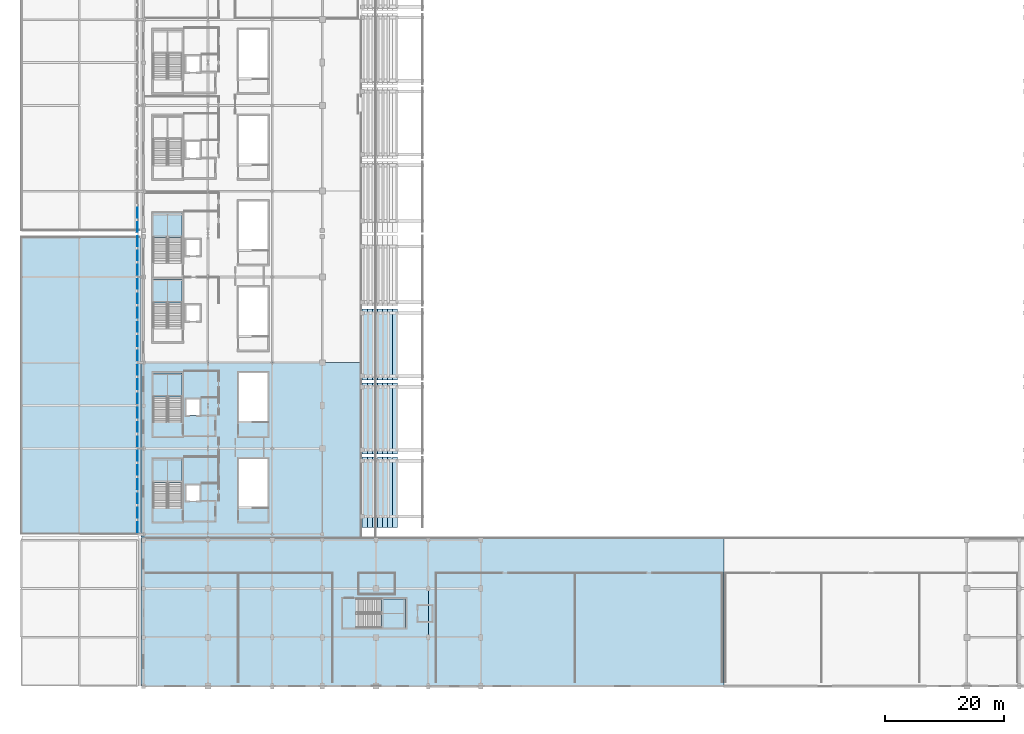
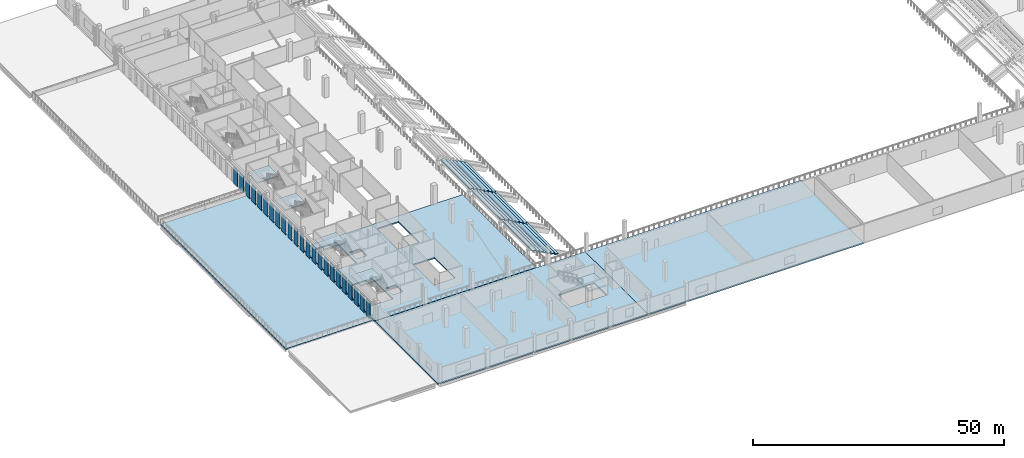
# One storey, part 22 of 74: 30 slabs, 23 plates, 5 elements without a shape of their own.
"""IFC4 building model written with IfcOpenShell, lengths in metres."""

from ifc_helpers import new_model, si_unit, direction, frame, origin, origin_2d, place, context, subcontext, project, spatial, polyline, rectangle, outline, extrude, material, layer, layer_set, type_object, element, aggregate, save


model = new_model("IFC4")

# Units and contexts
model_context = context("Model", 3, precision=1e-05, world=origin(), true_north=direction((0.0, 1.0)))
body_context = subcontext(model_context, "Body", "Model", "MODEL_VIEW")
ifc_project = project(units=[si_unit("LENGTHUNIT", "METRE"), si_unit("AREAUNIT", "SQUARE_METRE"), si_unit("VOLUMEUNIT", "CUBIC_METRE"), si_unit("PLANEANGLEUNIT", "RADIAN"), si_unit("MASSUNIT", "GRAM", prefix="KILO")], contexts=[model_context])

# Site, building, storey
site_placement = place(None, origin())
site = spatial("IfcSite", under=ifc_project, at=site_placement, CompositionType="ELEMENT")
building_placement = place(site_placement, origin())
building = spatial("IfcBuilding", under=site, at=building_placement, Name="Koshinbarg Plaza Stadium", CompositionType="ELEMENT")
storey_placement = place(building_placement, frame((0.0, 0.0, 15.0)))
storey = spatial("IfcBuildingStorey", under=building, at=storey_placement, Name="L03", CompositionType="ELEMENT", Elevation=15.0)

# Plates
ifc_material_1 = material(Name="Off-white mineral-coated perforated aluminium screen panel", Category="aluminium")
ifc_layer_1 = layer(ifc_material_1, 0.050048828125)
ifc_layer_set_1 = layer_set([ifc_layer_1], Name="Off-white mineral-coated perforated aluminium screen panel")
plate_type_1 = type_object("IfcPlateType", Name="PLT-SCR-50", PredefinedType="USERDEFINED", material=ifc_layer_set_1)
for number, where, z_axis, x_axis, name in (
    (1, (23.580078125, 29.10009765625, 0.2001953125), (0.0, 0.0, 1.0), (1.0, 0.0, 0.0), "L03 off-white leaf-pierced outer screen panel 002"),
    (2, (23.580078125, 33.89990234375, 0.2001953125), (0.0, 0.0, 1.0), (1.0, 0.0, 0.0), "L03 off-white leaf-pierced outer screen panel 004"),
    (3, (23.580078125, 38.699951171875, 0.2001953125), (0.0, 0.0, 1.0), (1.0, 0.0, 0.0), "L03 off-white leaf-pierced outer screen panel 006"),
    (4, (23.580078125, 43.5, 0.2001953125), (0.0, 0.0, 1.0), (1.0, 0.0, 0.0), "L03 off-white leaf-pierced outer screen panel 008"),
    (5, (23.580078125, 48.300048828125, 0.2001953125), (0.0, 0.0, 1.0), (1.0, 0.0, 0.0), "L03 off-white leaf-pierced outer screen panel 010"),
    (6, (23.580078125, 53.10009765625, 0.2001953125), (0.0, 0.0, 1.0), (1.0, 0.0, 0.0), "L03 off-white leaf-pierced outer screen panel 012"),
    (7, (23.580078125, 57.89990234375, 0.2001953125), (0.0, 0.0, 1.0), (1.0, 0.0, 0.0), "L03 off-white leaf-pierced outer screen panel 014"),
    (8, (23.580078125, 62.699951171875, 0.2001953125), (0.0, 0.0, 1.0), (1.0, 0.0, 0.0), "L03 off-white leaf-pierced outer screen panel 016"),
    (9, (23.580078125, 67.5, 0.2001953125), (0.0, 0.0, 1.0), (1.0, 0.0, 0.0), "L03 off-white leaf-pierced outer screen panel 018"),
    (10, (23.580078125, 72.300048828125, 0.2001953125), (0.0, 0.0, 1.0), (1.0, 0.0, 0.0), "L03 off-white leaf-pierced outer screen panel 020"),
    (11, (23.580078125, 77.10009765625, 0.2001953125), (0.0, 0.0, 1.0), (1.0, 0.0, 0.0), "L03 off-white leaf-pierced outer screen panel 022"),
):
    element("IfcPlate", number, at=place(storey_placement, frame(where, z_axis=z_axis, x_axis=x_axis)), inside=storey, type_object=plate_type_1, Name=name, ObjectType="SCREEN PANEL", PredefinedType="USERDEFINED", context=body_context, shape_type="SweptSolid", body=[
        extrude(rectangle(XDim=0.050048828125, YDim=1.632080078125, at=origin_2d()), origin(), (0.0, 0.0, 1.0), 4.030029296875),
    ])
ifc_material_2 = material(Name="Off-white mineral-coated leaf-aperture GRC screen panel")
ifc_layer_2 = layer(ifc_material_2, 0.06005859375)
ifc_layer_set_2 = layer_set([ifc_layer_2], Name="Off-white mineral-coated leaf-aperture GRC screen panel")
plate_type_2 = type_object("IfcPlateType", Name="PLT-SCR-60", PredefinedType="USERDEFINED", material=ifc_layer_set_2)
for number, where, z_axis, x_axis, name in (
    (12, (23.574951171875, 26.699951171875, 0.2001953125), (0.0, 0.0, 1.0), (1.0, 0.0, 0.0), "L03 off-white leaf-pierced outer screen panel 001"),
    (13, (23.574951171875, 31.5, 0.2001953125), (0.0, 0.0, 1.0), (1.0, 0.0, 0.0), "L03 off-white leaf-pierced outer screen panel 003"),
    (14, (23.574951171875, 36.300048828125, 0.2001953125), (0.0, 0.0, 1.0), (1.0, 0.0, 0.0), "L03 off-white leaf-pierced outer screen panel 005"),
    (15, (23.574951171875, 41.10009765625, 0.2001953125), (0.0, 0.0, 1.0), (1.0, 0.0, 0.0), "L03 off-white leaf-pierced outer screen panel 007"),
    (16, (23.574951171875, 45.89990234375, 0.2001953125), (0.0, 0.0, 1.0), (1.0, 0.0, 0.0), "L03 off-white leaf-pierced outer screen panel 009"),
    (17, (23.574951171875, 50.699951171875, 0.2001953125), (0.0, 0.0, 1.0), (1.0, 0.0, 0.0), "L03 off-white leaf-pierced outer screen panel 011"),
    (18, (23.574951171875, 55.5, 0.2001953125), (0.0, 0.0, 1.0), (1.0, 0.0, 0.0), "L03 off-white leaf-pierced outer screen panel 013"),
    (19, (23.574951171875, 60.300048828125, 0.2001953125), (0.0, 0.0, 1.0), (1.0, 0.0, 0.0), "L03 off-white leaf-pierced outer screen panel 015"),
    (20, (23.574951171875, 65.10009765625, 0.2001953125), (0.0, 0.0, 1.0), (1.0, 0.0, 0.0), "L03 off-white leaf-pierced outer screen panel 017"),
    (21, (23.574951171875, 69.89990234375, 0.2001953125), (0.0, 0.0, 1.0), (1.0, 0.0, 0.0), "L03 off-white leaf-pierced outer screen panel 019"),
    (22, (23.574951171875, 74.699951171875, 0.2001953125), (0.0, 0.0, 1.0), (1.0, 0.0, 0.0), "L03 off-white leaf-pierced outer screen panel 021"),
    (23, (23.574951171875, 79.5, 0.2001953125), (0.0, 0.0, 1.0), (1.0, 0.0, 0.0), "L03 off-white leaf-pierced outer screen panel 023"),
):
    element("IfcPlate", number, at=place(storey_placement, frame(where, z_axis=z_axis, x_axis=x_axis)), inside=storey, type_object=plate_type_2, Name=name, ObjectType="SCREEN PANEL", PredefinedType="USERDEFINED", context=body_context, shape_type="SweptSolid", body=[
        extrude(rectangle(XDim=0.06005859375, YDim=1.632080078125, at=origin_2d()), origin(), (0.0, 0.0, 1.0), 4.030029296875),
    ])

# Slabs
ifc_material_3 = material(Name="Concrete C35/45", Category="concrete")
ifc_layer_3 = layer(ifc_material_3, 0.320068359375)
ifc_layer_set_3 = layer_set([ifc_layer_3], Name="Concrete C35/45")
slab_type_1 = type_object("IfcSlabType", Name="SL-FLR-320", PredefinedType="FLOOR", material=ifc_layer_set_3)
slab_1_placement = place(storey_placement, frame((0.0, 0.0, -0.320068359375)))
element("IfcSlab", 24, at=slab_1_placement, inside=storey, type_object=slab_type_1, Name="L03 V1 structural slab 1", PredefinedType="FLOOR", context=body_context, shape_type="SweptSolid", body=[
    extrude(outline(polyline([(24.14501953125, 25.044921875), (61.199951171875, 25.044921875), (61.199951171875, 54.300048828125), (24.14501953125, 54.300048828125), (24.14501953125, 25.044921875)]), holes=[polyline([(31.070068359375, 29.9599609375), (31.070068359375, 38.199951171875), (26.199951171875, 38.199951171875), (26.199951171875, 29.9599609375), (31.070068359375, 29.9599609375)]), polyline([(31.75, 31.10009765625), (34.050048828125, 31.10009765625), (34.050048828125, 33.800048828125), (31.75, 33.800048828125), (31.75, 31.10009765625)]), polyline([(31.070068359375, 44.360107421875), (31.070068359375, 52.60009765625), (26.199951171875, 52.60009765625), (26.199951171875, 44.360107421875), (31.070068359375, 44.360107421875)]), polyline([(31.75, 45.5), (34.050048828125, 45.5), (34.050048828125, 48.199951171875), (31.75, 48.199951171875), (31.75, 45.5)]), polyline([(45.469970703125, 29.9599609375), (45.469970703125, 38.199951171875), (40.60009765625, 38.199951171875), (40.60009765625, 29.9599609375), (45.469970703125, 29.9599609375)]), polyline([(45.469970703125, 44.360107421875), (45.469970703125, 52.60009765625), (40.60009765625, 52.60009765625), (40.60009765625, 44.360107421875), (45.469970703125, 44.360107421875)])]), origin(), (0.0, 0.0, 1.0), 0.320068359375),
])
slab_2_placement = place(storey_placement, frame((0.0, 0.0, -0.320068359375)))
element("IfcSlab", 25, at=slab_2_placement, inside=storey, type_object=slab_type_1, Name="L03 V4 structural slab 13", PredefinedType="FLOOR", context=body_context, shape_type="SweptSolid", body=[
    extrude(outline(polyline([(24.14501953125, 0.0), (72.39990234375, 0.0), (72.39990234375, 24.955078125), (24.14501953125, 24.955078125), (24.14501953125, 0.0)]), holes=[polyline([(60.360107421875, 9.800048828125), (68.60009765625, 9.800048828125), (68.60009765625, 14.669921875), (60.360107421875, 14.669921875), (60.360107421875, 9.800048828125)])]), origin(), (0.0, 0.0, 1.0), 0.320068359375),
])
slab_3_placement = place(storey_placement, frame((0.0, 0.0, -0.320068359375)))
element("IfcSlab", 26, at=slab_3_placement, inside=storey, type_object=slab_type_1, Name="L03 V4 structural slab 14", PredefinedType="FLOOR", context=body_context, shape_type="SweptSolid", body=[
    extrude(outline(polyline([(72.39990234375, 0.0), (122.0, 0.0), (122.0, 24.955078125), (72.39990234375, 24.955078125), (72.39990234375, 0.0)])), origin(), (0.0, 0.0, 1.0), 0.320068359375),
])
ifc_layer_4 = layer(ifc_material_3, 0.360107421875)
ifc_layer_set_4 = layer_set([ifc_layer_4], Name="Concrete C35/45")
slab_type_2 = type_object("IfcSlabType", Name="SL-RGARDEN-360", PredefinedType="ROOF", material=ifc_layer_set_4)
slab_4_placement = place(storey_placement, frame((0.0, 0.0, -0.360107421875)))
element("IfcSlab", 27, at=slab_4_placement, inside=storey, type_object=slab_type_2, Name="planted roof garden terrace RG-L03-SW", PredefinedType="ROOF", context=body_context, shape_type="SweptSolid", body=[
    extrude(outline(polyline([(4.0, 25.5), (24.054931640625, 25.5), (24.054931640625, 75.5), (4.0, 75.5), (4.0, 25.5)])), origin(), (0.0, 0.0, 1.0), 0.360107421875),
])

# Stair, slab
stair_type = type_object("IfcStairType", Name="ST-CORE-48", PredefinedType="HALF_TURN_STAIR", material=ifc_material_3)
stair_1_placement = place(storey_placement, origin())
stair_1 = element("IfcStair", 28, at=stair_1_placement, inside=storey, type_object=stair_type, Name="L03 Protected Exit Stair C01", PredefinedType="HALF_TURN_STAIR")
ifc_layer_5 = layer(ifc_material_3, 0.320068359375)
ifc_layer_set_5 = layer_set([ifc_layer_5], Name="Concrete C35/45")
slab_type_3 = type_object("IfcSlabType", Name="SL-STLAND-280", PredefinedType="LANDING", material=ifc_layer_set_5)
slab_5_placement = place(storey_placement, frame((0.0, 0.0, 2.080078125)))
slab_5 = element("IfcSlab", 29, at=slab_5_placement, type_object=slab_type_3, Name="L03 Protected Exit Stair C01 landing 004", PredefinedType="LANDING", context=body_context, shape_type="SweptSolid", body=[
    extrude(outline(polyline([(31.070068359375, 34.159912109375), (31.070068359375, 38.199951171875), (26.199951171875, 38.199951171875), (26.199951171875, 34.159912109375), (31.070068359375, 34.159912109375)])), origin(), (0.0, 0.0, 1.0), 0.31982421875),
])
aggregate(stair_1, [slab_5])

stair_2_placement = place(storey_placement, origin())
stair_2 = element("IfcStair", 30, at=stair_2_placement, inside=storey, type_object=stair_type, Name="L03 Protected Exit Stair C02", PredefinedType="HALF_TURN_STAIR")
slab_6_placement = place(storey_placement, frame((0.0, 0.0, 2.080078125)))
slab_6 = element("IfcSlab", 31, at=slab_6_placement, type_object=slab_type_3, Name="L03 Protected Exit Stair C02 landing 010", PredefinedType="LANDING", context=body_context, shape_type="SweptSolid", body=[
    extrude(outline(polyline([(31.070068359375, 48.56005859375), (31.070068359375, 52.60009765625), (26.199951171875, 52.60009765625), (26.199951171875, 48.56005859375), (31.070068359375, 48.56005859375)])), origin(), (0.0, 0.0, 1.0), 0.31982421875),
])
aggregate(stair_2, [slab_6])

stair_3_placement = place(storey_placement, origin())
stair_3 = element("IfcStair", 32, at=stair_3_placement, inside=storey, type_object=stair_type, Name="L03 Protected Exit Stair C03", PredefinedType="HALF_TURN_STAIR")
slab_7_placement = place(storey_placement, frame((0.0, 0.0, 2.080078125)))
slab_7 = element("IfcSlab", 33, at=slab_7_placement, type_object=slab_type_3, Name="L03 Protected Exit Stair C03 landing 016", PredefinedType="LANDING", context=body_context, shape_type="SweptSolid", body=[
    extrude(outline(polyline([(31.070068359375, 64.360107421875), (31.070068359375, 68.39990234375), (26.199951171875, 68.39990234375), (26.199951171875, 64.360107421875), (31.070068359375, 64.360107421875)])), origin(), (0.0, 0.0, 1.0), 0.31982421875),
])
aggregate(stair_3, [slab_7])

stair_4_placement = place(storey_placement, origin())
stair_4 = element("IfcStair", 34, at=stair_4_placement, inside=storey, type_object=stair_type, Name="L03 Protected Exit Stair C04", PredefinedType="HALF_TURN_STAIR")
slab_8_placement = place(storey_placement, frame((0.0, 0.0, 2.080078125)))
slab_8 = element("IfcSlab", 35, at=slab_8_placement, type_object=slab_type_3, Name="L03 Protected Exit Stair C04 landing 022", PredefinedType="LANDING", context=body_context, shape_type="SweptSolid", body=[
    extrude(outline(polyline([(31.070068359375, 75.360107421875), (31.070068359375, 79.39990234375), (26.199951171875, 79.39990234375), (26.199951171875, 75.360107421875), (31.070068359375, 75.360107421875)])), origin(), (0.0, 0.0, 1.0), 0.31982421875),
])
aggregate(stair_4, [slab_8])

stair_5_placement = place(storey_placement, origin())
stair_5 = element("IfcStair", 36, at=stair_5_placement, inside=storey, type_object=stair_type, Name="L03 Protected Exit Stair C13", PredefinedType="HALF_TURN_STAIR")
slab_9_placement = place(storey_placement, frame((0.0, 0.0, 2.080078125)))
slab_9 = element("IfcSlab", 37, at=slab_9_placement, type_object=slab_type_3, Name="L03 Protected Exit Stair C13 landing 066", PredefinedType="LANDING", context=body_context, shape_type="SweptSolid", body=[
    extrude(outline(polyline([(64.56005859375, 9.800048828125), (68.60009765625, 9.800048828125), (68.60009765625, 14.669921875), (64.56005859375, 14.669921875), (64.56005859375, 9.800048828125)])), origin(), (0.0, 0.0, 1.0), 0.31982421875),
])
aggregate(stair_5, [slab_9])

# Slabs
ifc_material_4 = material(Name="Precast concrete C40/50", Category="concrete")
ifc_layer_6 = layer(ifc_material_4, 0.199951171875)
ifc_layer_set_6 = layer_set([ifc_layer_6], Name="Precast concrete C40/50")
slab_type_4 = type_object("IfcSlabType", Name="SL-TIER-UT", PredefinedType="USERDEFINED", material=ifc_layer_set_6)
slab_10_placement = place(storey_placement, frame((0.0, 0.0, 0.219970703125)))
element("IfcSlab", 38, at=slab_10_placement, inside=storey, type_object=slab_type_4, Name="Stand upper seating tier UT-W01 row 6", ObjectType="SEATING TIER", PredefinedType="USERDEFINED", context=body_context, shape_type="SweptSolid", body=[
    extrude(outline(polyline([(66.39990234375, 26.60009765625), (67.25, 26.60009765625), (67.25, 38.5), (66.39990234375, 38.5), (66.39990234375, 26.60009765625)])), origin(), (0.0, 0.0, 1.0), 0.199951171875),
])
slab_11_placement = place(storey_placement, frame((0.0, 0.0, 0.659912109375)))
element("IfcSlab", 39, at=slab_11_placement, inside=storey, type_object=slab_type_4, Name="Stand upper seating tier UT-W01 row 7", ObjectType="SEATING TIER", PredefinedType="USERDEFINED", context=body_context, shape_type="SweptSolid", body=[
    extrude(outline(polyline([(65.550048828125, 26.60009765625), (66.39990234375, 26.60009765625), (66.39990234375, 38.14990234375), (66.050048828125, 38.5), (65.550048828125, 38.5), (65.550048828125, 26.60009765625)])), origin(), (0.0, 0.0, 1.0), 0.2001953125),
])
slab_12_placement = place(storey_placement, frame((0.0, 0.0, 1.10009765625)))
element("IfcSlab", 40, at=slab_12_placement, inside=storey, type_object=slab_type_4, Name="Stand upper seating tier UT-W01 row 8", ObjectType="SEATING TIER", PredefinedType="USERDEFINED", context=body_context, shape_type="SweptSolid", body=[
    extrude(outline(polyline([(64.699951171875, 26.60009765625), (65.550048828125, 26.60009765625), (65.550048828125, 38.5), (64.699951171875, 38.5), (64.699951171875, 26.60009765625)])), origin(), (0.0, 0.0, 1.0), 0.199951171875),
])
slab_13_placement = place(storey_placement, frame((0.0, 0.0, 1.5400390625)))
element("IfcSlab", 41, at=slab_13_placement, inside=storey, type_object=slab_type_4, Name="Stand upper seating tier UT-W01 row 9", ObjectType="SEATING TIER", PredefinedType="USERDEFINED", context=body_context, shape_type="SweptSolid", body=[
    extrude(outline(polyline([(63.85009765625, 26.60009765625), (64.699951171875, 26.60009765625), (64.699951171875, 38.5), (63.85009765625, 38.5), (63.85009765625, 26.60009765625)])), origin(), (0.0, 0.0, 1.0), 0.199951171875),
])
slab_14_placement = place(storey_placement, frame((0.0, 0.0, 1.97998046875)))
element("IfcSlab", 42, at=slab_14_placement, inside=storey, type_object=slab_type_4, Name="Stand upper seating tier UT-W01 row 10", ObjectType="SEATING TIER", PredefinedType="USERDEFINED", context=body_context, shape_type="SweptSolid", body=[
    extrude(outline(polyline([(63.0, 26.60009765625), (63.85009765625, 26.60009765625), (63.85009765625, 38.14990234375), (63.5, 38.5), (63.0, 38.5), (63.0, 26.60009765625)])), origin(), (0.0, 0.0, 1.0), 0.199951171875),
])
slab_15_placement = place(storey_placement, frame((0.0, 0.0, 2.419921875)))
element("IfcSlab", 43, at=slab_15_placement, inside=storey, type_object=slab_type_4, Name="Stand upper seating tier UT-W01 row 11", ObjectType="SEATING TIER", PredefinedType="USERDEFINED", context=body_context, shape_type="SweptSolid", body=[
    extrude(outline(polyline([(62.14990234375, 26.60009765625), (63.0, 26.60009765625), (63.0, 38.5), (62.14990234375, 38.5), (62.14990234375, 26.60009765625)])), origin(), (0.0, 0.0, 1.0), 0.2001953125),
])
slab_16_placement = place(storey_placement, frame((0.0, 0.0, 2.860107421875)))
element("IfcSlab", 44, at=slab_16_placement, inside=storey, type_object=slab_type_4, Name="Stand upper seating tier UT-W01 row 12", ObjectType="SEATING TIER", PredefinedType="USERDEFINED", context=body_context, shape_type="SweptSolid", body=[
    extrude(outline(polyline([(61.300048828125, 26.60009765625), (62.14990234375, 26.60009765625), (62.14990234375, 38.5), (61.300048828125, 38.5), (61.300048828125, 26.60009765625)])), origin(), (0.0, 0.0, 1.0), 0.199951171875),
])
slab_17_placement = place(storey_placement, frame((0.0, 0.0, 0.219970703125)))
element("IfcSlab", 45, at=slab_17_placement, inside=storey, type_object=slab_type_4, Name="Stand upper seating tier UT-W02 row 6", ObjectType="SEATING TIER", PredefinedType="USERDEFINED", context=body_context, shape_type="SweptSolid", body=[
    extrude(outline(polyline([(66.39990234375, 39.0), (67.25, 39.0), (67.25, 50.89990234375), (66.39990234375, 50.89990234375), (66.39990234375, 39.0)])), origin(), (0.0, 0.0, 1.0), 0.199951171875),
])
slab_18_placement = place(storey_placement, frame((0.0, 0.0, 0.659912109375)))
element("IfcSlab", 46, at=slab_18_placement, inside=storey, type_object=slab_type_4, Name="Stand upper seating tier UT-W02 row 7", ObjectType="SEATING TIER", PredefinedType="USERDEFINED", context=body_context, shape_type="SweptSolid", body=[
    extrude(outline(polyline([(65.550048828125, 39.0), (66.39990234375, 39.0), (66.39990234375, 50.89990234375), (65.550048828125, 50.89990234375), (65.550048828125, 39.0)])), origin(), (0.0, 0.0, 1.0), 0.2001953125),
])
slab_19_placement = place(storey_placement, frame((0.0, 0.0, 1.10009765625)))
element("IfcSlab", 47, at=slab_19_placement, inside=storey, type_object=slab_type_4, Name="Stand upper seating tier UT-W02 row 8", ObjectType="SEATING TIER", PredefinedType="USERDEFINED", context=body_context, shape_type="SweptSolid", body=[
    extrude(outline(polyline([(64.699951171875, 39.0), (65.550048828125, 39.0), (65.550048828125, 50.89990234375), (64.699951171875, 50.89990234375), (64.699951171875, 39.0)])), origin(), (0.0, 0.0, 1.0), 0.199951171875),
])
slab_20_placement = place(storey_placement, frame((0.0, 0.0, 1.5400390625)))
element("IfcSlab", 48, at=slab_20_placement, inside=storey, type_object=slab_type_4, Name="Stand upper seating tier UT-W02 row 9", ObjectType="SEATING TIER", PredefinedType="USERDEFINED", context=body_context, shape_type="SweptSolid", body=[
    extrude(outline(polyline([(63.85009765625, 39.0), (64.699951171875, 39.0), (64.699951171875, 50.89990234375), (63.85009765625, 50.89990234375), (63.85009765625, 39.0)])), origin(), (0.0, 0.0, 1.0), 0.199951171875),
])
slab_21_placement = place(storey_placement, frame((0.0, 0.0, 1.97998046875)))
element("IfcSlab", 49, at=slab_21_placement, inside=storey, type_object=slab_type_4, Name="Stand upper seating tier UT-W02 row 10", ObjectType="SEATING TIER", PredefinedType="USERDEFINED", context=body_context, shape_type="SweptSolid", body=[
    extrude(outline(polyline([(63.0, 39.0), (63.85009765625, 39.0), (63.85009765625, 50.89990234375), (63.0, 50.89990234375), (63.0, 39.0)])), origin(), (0.0, 0.0, 1.0), 0.199951171875),
])
slab_22_placement = place(storey_placement, frame((0.0, 0.0, 2.419921875)))
element("IfcSlab", 50, at=slab_22_placement, inside=storey, type_object=slab_type_4, Name="Stand upper seating tier UT-W02 row 11", ObjectType="SEATING TIER", PredefinedType="USERDEFINED", context=body_context, shape_type="SweptSolid", body=[
    extrude(outline(polyline([(62.14990234375, 39.0), (63.0, 39.0), (63.0, 50.89990234375), (62.14990234375, 50.89990234375), (62.14990234375, 39.0)])), origin(), (0.0, 0.0, 1.0), 0.2001953125),
])
slab_23_placement = place(storey_placement, frame((0.0, 0.0, 2.860107421875)))
element("IfcSlab", 51, at=slab_23_placement, inside=storey, type_object=slab_type_4, Name="Stand upper seating tier UT-W02 row 12", ObjectType="SEATING TIER", PredefinedType="USERDEFINED", context=body_context, shape_type="SweptSolid", body=[
    extrude(outline(polyline([(61.300048828125, 39.0), (62.14990234375, 39.0), (62.14990234375, 50.89990234375), (61.300048828125, 50.89990234375), (61.300048828125, 39.0)])), origin(), (0.0, 0.0, 1.0), 0.199951171875),
])
slab_24_placement = place(storey_placement, frame((0.0, 0.0, 0.219970703125)))
element("IfcSlab", 52, at=slab_24_placement, inside=storey, type_object=slab_type_4, Name="Stand upper seating tier UT-W03 row 6", ObjectType="SEATING TIER", PredefinedType="USERDEFINED", context=body_context, shape_type="SweptSolid", body=[
    extrude(outline(polyline([(66.39990234375, 51.39990234375), (67.25, 51.39990234375), (67.25, 63.300048828125), (66.39990234375, 63.300048828125), (66.39990234375, 51.39990234375)])), origin(), (0.0, 0.0, 1.0), 0.199951171875),
])
slab_25_placement = place(storey_placement, frame((0.0, 0.0, 0.659912109375)))
element("IfcSlab", 53, at=slab_25_placement, inside=storey, type_object=slab_type_4, Name="Stand upper seating tier UT-W03 row 7", ObjectType="SEATING TIER", PredefinedType="USERDEFINED", context=body_context, shape_type="SweptSolid", body=[
    extrude(outline(polyline([(65.550048828125, 51.39990234375), (66.39990234375, 51.39990234375), (66.39990234375, 63.300048828125), (65.550048828125, 63.300048828125), (65.550048828125, 51.39990234375)])), origin(), (0.0, 0.0, 1.0), 0.2001953125),
])
slab_26_placement = place(storey_placement, frame((0.0, 0.0, 1.10009765625)))
element("IfcSlab", 54, at=slab_26_placement, inside=storey, type_object=slab_type_4, Name="Stand upper seating tier UT-W03 row 8", ObjectType="SEATING TIER", PredefinedType="USERDEFINED", context=body_context, shape_type="SweptSolid", body=[
    extrude(outline(polyline([(64.699951171875, 51.39990234375), (65.550048828125, 51.39990234375), (65.550048828125, 63.300048828125), (64.699951171875, 63.300048828125), (64.699951171875, 51.39990234375)])), origin(), (0.0, 0.0, 1.0), 0.199951171875),
])
slab_27_placement = place(storey_placement, frame((0.0, 0.0, 1.5400390625)))
element("IfcSlab", 55, at=slab_27_placement, inside=storey, type_object=slab_type_4, Name="Stand upper seating tier UT-W03 row 9", ObjectType="SEATING TIER", PredefinedType="USERDEFINED", context=body_context, shape_type="SweptSolid", body=[
    extrude(outline(polyline([(63.85009765625, 51.39990234375), (64.699951171875, 51.39990234375), (64.699951171875, 63.300048828125), (63.85009765625, 63.300048828125), (63.85009765625, 51.39990234375)])), origin(), (0.0, 0.0, 1.0), 0.199951171875),
])
slab_28_placement = place(storey_placement, frame((0.0, 0.0, 1.97998046875)))
element("IfcSlab", 56, at=slab_28_placement, inside=storey, type_object=slab_type_4, Name="Stand upper seating tier UT-W03 row 10", ObjectType="SEATING TIER", PredefinedType="USERDEFINED", context=body_context, shape_type="SweptSolid", body=[
    extrude(outline(polyline([(63.0, 51.39990234375), (63.85009765625, 51.39990234375), (63.85009765625, 63.300048828125), (63.0, 63.300048828125), (63.0, 51.39990234375)])), origin(), (0.0, 0.0, 1.0), 0.199951171875),
])
slab_29_placement = place(storey_placement, frame((0.0, 0.0, 2.419921875)))
element("IfcSlab", 57, at=slab_29_placement, inside=storey, type_object=slab_type_4, Name="Stand upper seating tier UT-W03 row 11", ObjectType="SEATING TIER", PredefinedType="USERDEFINED", context=body_context, shape_type="SweptSolid", body=[
    extrude(outline(polyline([(62.14990234375, 51.39990234375), (63.0, 51.39990234375), (63.0, 63.300048828125), (62.14990234375, 63.300048828125), (62.14990234375, 51.39990234375)])), origin(), (0.0, 0.0, 1.0), 0.2001953125),
])
slab_30_placement = place(storey_placement, frame((0.0, 0.0, 2.860107421875)))
element("IfcSlab", 58, at=slab_30_placement, inside=storey, type_object=slab_type_4, Name="Stand upper seating tier UT-W03 row 12", ObjectType="SEATING TIER", PredefinedType="USERDEFINED", context=body_context, shape_type="SweptSolid", body=[
    extrude(outline(polyline([(61.300048828125, 51.39990234375), (62.14990234375, 51.39990234375), (62.14990234375, 63.300048828125), (61.300048828125, 63.300048828125), (61.300048828125, 51.39990234375)])), origin(), (0.0, 0.0, 1.0), 0.199951171875),
])

save(model, "model.ifc")
